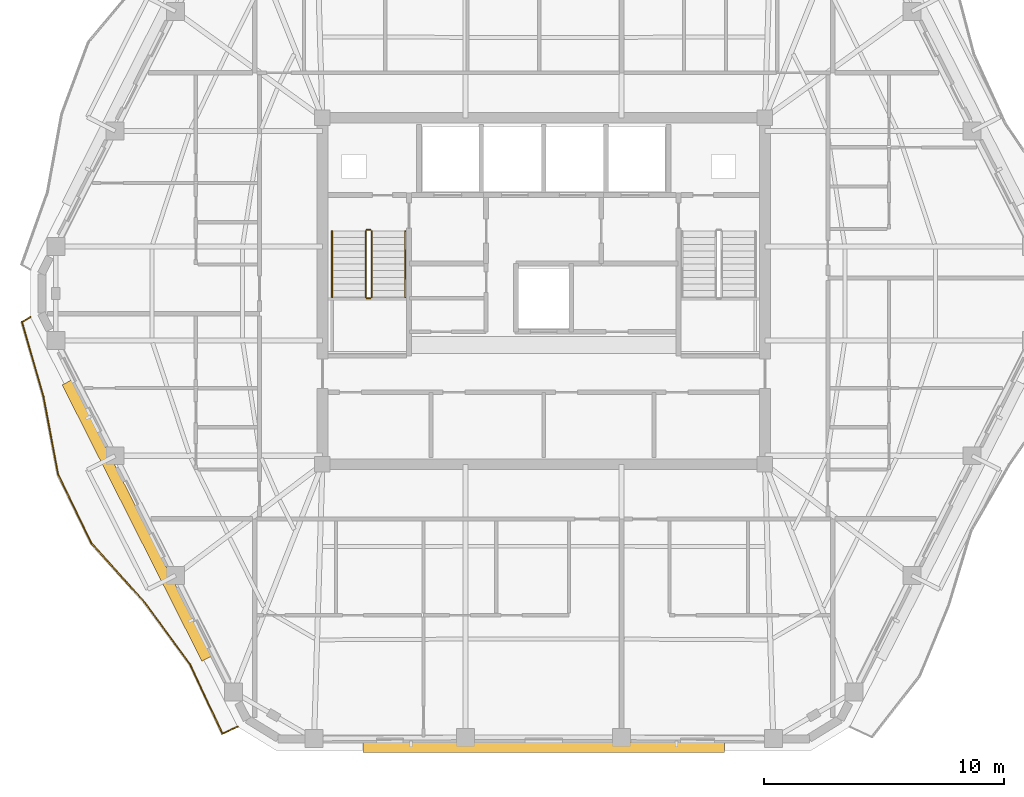
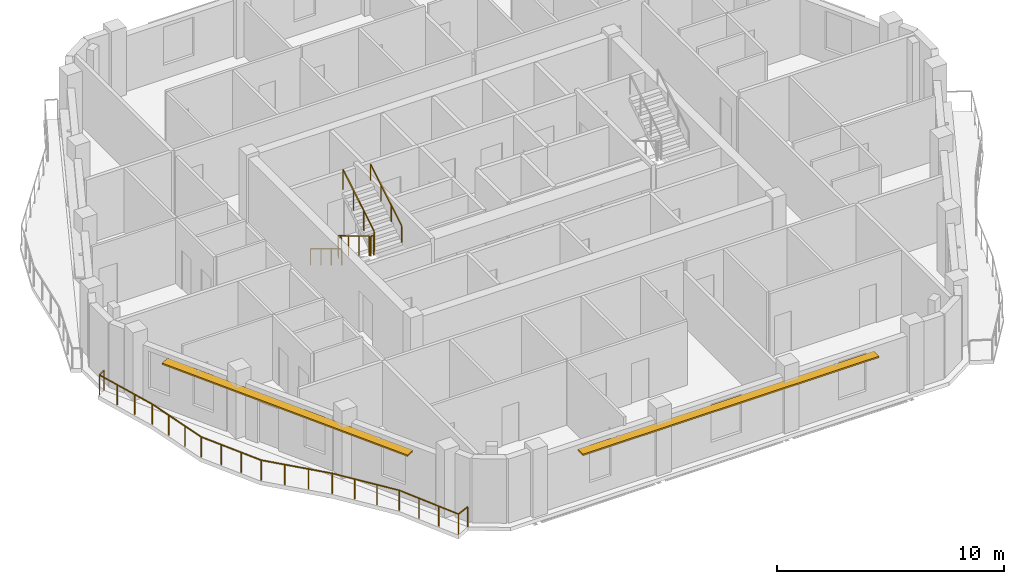
# One storey, part 9 of 11: 7 railings, 2 shading devices.
"""IFC4 building model written with IfcOpenShell, lengths in metres."""

from ifc_helpers import new_model, si_unit, direction, frame, origin, origin_2d, place, context, subcontext, project, spatial, rectangle, extrude, material, layer, layer_set, type_object, element, save


model = new_model("IFC4")

# Units and contexts
model_context = context("Model", 3, precision=1e-05, world=origin(), true_north=direction((0.0, 1.0)))
body_context = subcontext(model_context, "Body", "Model", "MODEL_VIEW")
ifc_project = project(units=[si_unit("LENGTHUNIT", "METRE"), si_unit("AREAUNIT", "SQUARE_METRE"), si_unit("VOLUMEUNIT", "CUBIC_METRE"), si_unit("PLANEANGLEUNIT", "RADIAN"), si_unit("MASSUNIT", "GRAM", prefix="KILO")], contexts=[model_context])

# Site, building, storey
site_placement = place(None, origin())
site = spatial("IfcSite", under=ifc_project, at=site_placement, CompositionType="ELEMENT")
building_placement = place(site_placement, origin())
building = spatial("IfcBuilding", under=site, at=building_placement, Name="Cinnabar Lancet Tower", CompositionType="ELEMENT")
storey_placement = place(building_placement, frame((0.0, 0.0, 256.199951171875)))
storey = spatial("IfcBuildingStorey", under=building, at=storey_placement, Name="L68", CompositionType="ELEMENT", Elevation=256.199951171875)

# Railing
ifc_material_1 = material(Name="Laminated safety glass and bronze stainless steel balustrade", Category="steel")
railing_type_1 = type_object("IfcRailingType", Name="ENV-RLG-BAL-1100", PredefinedType="BALUSTRADE", material=ifc_material_1)
railing_1_placement = place(storey_placement, frame((10.9970703125, 24.818115234375, 0.0)))
element("IfcRailing", 1, at=railing_1_placement, inside=storey, type_object=railing_type_1, Name="L68 Face 6 Wave Balcony Balustrade", PredefinedType="BALUSTRADE", context=body_context, shape_type="SweptSolid", body=[
    extrude(rectangle(XDim=0.048095703125, YDim=0.048095703125, at=origin_2d()), frame((0.0, 0.0, 1.076171875), z_axis=(-0.859079062454, -0.511842909938, 0.0), x_axis=(0.511842909938, -0.859079062454, 0.0)), (0.0, 0.0, 1.0), 0.406494140625),
    extrude(rectangle(XDim=0.048095703125, YDim=0.048095703125, at=origin_2d()), frame((-0.34912109375, -0.2080078125, 1.076171875), z_axis=(0.276313516415, -0.961067552593, 0.0), x_axis=(0.961067552593, 0.276313516415, 0.0)), (0.0, 0.0, 1.0), 3.2392578125),
    extrude(rectangle(XDim=0.048095703125, YDim=0.048095703125, at=origin_2d()), frame((0.5458984375, -3.321044921875, 1.076171875), z_axis=(0.184791409027, -0.982777764884, 0.0), x_axis=(0.982777764884, 0.184791409027, 0.0)), (0.0, 0.0, 1.0), 3.312255859375),
    extrude(rectangle(XDim=0.048095703125, YDim=0.048095703125, at=origin_2d()), frame((1.157958984375, -6.576171875, 1.076171875), z_axis=(0.436990910672, -0.899465921528, 0.0), x_axis=(0.899465921528, 0.436990910672, 0.0)), (0.0, 0.0, 1.0), 3.1806640625),
    extrude(rectangle(XDim=0.048095703125, YDim=0.048095703125, at=origin_2d()), frame((2.5478515625, -9.43701171875, 1.076171875), z_axis=(0.669443492941, -0.74286298182, 0.0), x_axis=(0.74286298182, 0.669443492941, 0.0)), (0.0, 0.0, 1.0), 3.29541015625),
    extrude(rectangle(XDim=0.048095703125, YDim=0.048095703125, at=origin_2d()), frame((4.75390625, -11.885009765625, 1.076171875), z_axis=(0.591071505016, -0.80661916414, 0.0), x_axis=(0.80661916414, 0.591071505016, 0.0)), (0.0, 0.0, 1.0), 3.224609375),
    extrude(rectangle(XDim=0.048095703125, YDim=0.048095703125, at=origin_2d()), frame((6.659912109375, -14.486083984375, 1.076171875), z_axis=(0.422415270201, -0.906402415873, 0.0), x_axis=(0.906402415873, 0.422415270201, 0.0)), (0.0, 0.0, 1.0), 3.18408203125),
    extrude(rectangle(XDim=0.048095703125, YDim=0.048095703125, at=origin_2d()), frame((8.0048828125, -17.3720703125, 1.076171875), z_axis=(0.912320191095, 0.409477556064, 0.0), x_axis=(-0.409477556064, 0.912320191095, 0.0)), (0.0, 0.0, 1.0), 0.6982421875),
    extrude(rectangle(XDim=0.0419921875, YDim=0.0419921875, at=origin_2d()), origin(), (0.0, 0.0, 1.0), 1.052001953125),
    extrude(rectangle(XDim=0.0419921875, YDim=0.0419921875, at=origin_2d()), frame((-0.34912109375, -0.2080078125, 0.0)), (0.0, 0.0, 1.0), 1.052001953125),
    extrude(rectangle(XDim=0.0419921875, YDim=0.0419921875, at=origin_2d()), frame((-0.05078125, -1.24560546875, 0.0)), (0.0, 0.0, 1.0), 1.052001953125),
    extrude(rectangle(XDim=0.0419921875, YDim=0.0419921875, at=origin_2d()), frame((0.24755859375, -2.283447265625, 0.0)), (0.0, 0.0, 1.0), 1.052001953125),
    extrude(rectangle(XDim=0.0419921875, YDim=0.0419921875, at=origin_2d()), frame((0.5458984375, -3.321044921875, 0.0)), (0.0, 0.0, 1.0), 1.052001953125),
    extrude(rectangle(XDim=0.0419921875, YDim=0.0419921875, at=origin_2d()), frame((0.75, -4.406005859375, 0.0)), (0.0, 0.0, 1.0), 1.052001953125),
    extrude(rectangle(XDim=0.0419921875, YDim=0.0419921875, at=origin_2d()), frame((0.953857421875, -5.4912109375, 0.0)), (0.0, 0.0, 1.0), 1.052001953125),
    extrude(rectangle(XDim=0.0419921875, YDim=0.0419921875, at=origin_2d()), frame((1.157958984375, -6.576171875, 0.0)), (0.0, 0.0, 1.0), 1.052001953125),
    extrude(rectangle(XDim=0.0419921875, YDim=0.0419921875, at=origin_2d()), frame((1.621337890625, -7.52978515625, 0.0)), (0.0, 0.0, 1.0), 1.052001953125),
    extrude(rectangle(XDim=0.0419921875, YDim=0.0419921875, at=origin_2d()), frame((2.08447265625, -8.4833984375, 0.0)), (0.0, 0.0, 1.0), 1.052001953125),
    extrude(rectangle(XDim=0.0419921875, YDim=0.0419921875, at=origin_2d()), frame((2.5478515625, -9.43701171875, 0.0)), (0.0, 0.0, 1.0), 1.052001953125),
    extrude(rectangle(XDim=0.0419921875, YDim=0.0419921875, at=origin_2d()), frame((3.283203125, -10.2529296875, 0.0)), (0.0, 0.0, 1.0), 1.052001953125),
    extrude(rectangle(XDim=0.0419921875, YDim=0.0419921875, at=origin_2d()), frame((4.0185546875, -11.069091796875, 0.0)), (0.0, 0.0, 1.0), 1.052001953125),
    extrude(rectangle(XDim=0.0419921875, YDim=0.0419921875, at=origin_2d()), frame((4.75390625, -11.885009765625, 0.0)), (0.0, 0.0, 1.0), 1.052001953125),
    extrude(rectangle(XDim=0.0419921875, YDim=0.0419921875, at=origin_2d()), frame((5.38916015625, -12.751953125, 0.0)), (0.0, 0.0, 1.0), 1.052001953125),
    extrude(rectangle(XDim=0.0419921875, YDim=0.0419921875, at=origin_2d()), frame((6.024658203125, -13.619140625, 0.0)), (0.0, 0.0, 1.0), 1.052001953125),
    extrude(rectangle(XDim=0.0419921875, YDim=0.0419921875, at=origin_2d()), frame((6.659912109375, -14.486083984375, 0.0)), (0.0, 0.0, 1.0), 1.052001953125),
    extrude(rectangle(XDim=0.0419921875, YDim=0.0419921875, at=origin_2d()), frame((7.108154296875, -15.447998046875, 0.0)), (0.0, 0.0, 1.0), 1.052001953125),
    extrude(rectangle(XDim=0.0419921875, YDim=0.0419921875, at=origin_2d()), frame((7.556640625, -16.41015625, 0.0)), (0.0, 0.0, 1.0), 1.052001953125),
    extrude(rectangle(XDim=0.0419921875, YDim=0.0419921875, at=origin_2d()), frame((8.0048828125, -17.3720703125, 0.0)), (0.0, 0.0, 1.0), 1.052001953125),
    extrude(rectangle(XDim=0.0419921875, YDim=0.0419921875, at=origin_2d()), frame((8.641845703125, -17.086181640625, 0.0)), (0.0, 0.0, 1.0), 1.052001953125),
])

# Shading devices
ifc_material_2 = material(Name="Pale limestone architectural aluminium sunshade", Category="masonry")
ifc_layer = layer(ifc_material_2, 0.080078125)
ifc_layer_set = layer_set([ifc_layer], Name="Pale limestone architectural aluminium sunshade")
shading_device_type = type_object("IfcShadingDeviceType", Name="ENV-SHD-LVR-450", PredefinedType="JALOUSIE", material=ifc_layer_set)
shading_device_1_placement = place(storey_placement, frame((32.39990234375, 6.8798828125, 2.639892578125), z_axis=(0.0, 0.0, 1.0), x_axis=(1.0, 0.0, 0.0)))
element("IfcShadingDevice", 2, at=shading_device_1_placement, inside=storey, type_object=shading_device_type, Name="L68 Face 1 Horizontal Sunshade Canopy", PredefinedType="JALOUSIE", context=body_context, shape_type="SweptSolid", body=[
    extrude(rectangle(XDim=15.06103515625, YDim=0.449951171875, at=origin_2d()), origin(), (0.0, 0.0, 1.0), 0.080078125),
])
shading_device_2_placement = place(storey_placement, frame((15.43603515625, 16.330078125, 2.639892578125), z_axis=(0.0, 0.0, 1.0), x_axis=(0.451375984307, -0.89233386173, 0.0)))
element("IfcShadingDevice", 3, at=shading_device_2_placement, inside=storey, type_object=shading_device_type, Name="L68 Face 6 Horizontal Sunshade Canopy", PredefinedType="JALOUSIE", context=body_context, shape_type="SweptSolid", body=[
    extrude(rectangle(XDim=12.912109375, YDim=0.449951171875, at=origin_2d()), origin(), (0.0, 0.0, 1.0), 0.080078125),
])

# Railings
ifc_material_3 = material(Name="Painted galvanized steel balustrade", Category="steel")
railing_type_2 = type_object("IfcRailingType", Name="GUARD-STAIR", PredefinedType="GUARDRAIL", material=ifc_material_3)
railing_2_placement = place(storey_placement, frame((24.97509765625, 28.39990234375, 0.166015625)))
element("IfcRailing", 4, at=railing_2_placement, inside=storey, type_object=railing_type_2, Name="L68 ST-1 stair guard 1", PredefinedType="GUARDRAIL", context=body_context, shape_type="SweptSolid", body=[
    extrude(rectangle(XDim=0.048095703125, YDim=0.048095703125, at=origin_2d()), frame((0.0, 0.0, 1.076171875), z_axis=(0.0, -0.856263023582, 0.516540060834), x_axis=(1.0, 0.0, 0.0)), (0.0, 0.0, 1.0), 3.211669921875),
    extrude(rectangle(XDim=0.0419921875, YDim=0.0419921875, at=origin_2d()), origin(), (0.0, 0.0, 1.0), 1.052001953125),
    extrude(rectangle(XDim=0.0419921875, YDim=0.0419921875, at=origin_2d()), frame((0.0, -0.916748046875, 0.552978515625)), (0.0, 0.0, 1.0), 1.052001953125),
    extrude(rectangle(XDim=0.0419921875, YDim=0.0419921875, at=origin_2d()), frame((0.0, -1.833251953125, 1.10595703125)), (0.0, 0.0, 1.0), 1.052001953125),
    extrude(rectangle(XDim=0.0419921875, YDim=0.0419921875, at=origin_2d()), frame((0.0, -2.75, 1.658935546875)), (0.0, 0.0, 1.0), 1.052001953125),
])
railing_3_placement = place(storey_placement, frame((25.02490234375, 25.60009765625, 1.824951171875)))
element("IfcRailing", 5, at=railing_3_placement, inside=storey, type_object=railing_type_2, Name="L68 ST-1 stair guard 2", PredefinedType="GUARDRAIL", context=body_context, shape_type="SweptSolid", body=[
    extrude(rectangle(XDim=0.048095703125, YDim=0.048095703125, at=origin_2d()), frame((0.0, 0.0, 1.076171875), z_axis=(1.0, 0.0, 0.0), x_axis=(0.0, 1.0, 0.0)), (0.0, 0.0, 1.0), 0.150146484375),
    extrude(rectangle(XDim=0.0419921875, YDim=0.0419921875, at=origin_2d()), origin(), (0.0, 0.0, 1.0), 1.052001953125),
    extrude(rectangle(XDim=0.0419921875, YDim=0.0419921875, at=origin_2d()), frame((0.150146484375, 0.0, 0.0)), (0.0, 0.0, 1.0), 1.052001953125),
])
railing_4_placement = place(storey_placement, frame((25.22509765625, 25.64990234375, 1.990966796875)))
element("IfcRailing", 6, at=railing_4_placement, inside=storey, type_object=railing_type_2, Name="L68 ST-1 stair guard 3", PredefinedType="GUARDRAIL", context=body_context, shape_type="SweptSolid", body=[
    extrude(rectangle(XDim=0.048095703125, YDim=0.048095703125, at=origin_2d()), frame((0.0, 0.0, 1.076171875), z_axis=(0.0, 0.856229400918, 0.51659579267), x_axis=(-1.0, 0.0, 0.0)), (0.0, 0.0, 1.0), 3.211669921875),
    extrude(rectangle(XDim=0.0419921875, YDim=0.0419921875, at=origin_2d()), origin(), (0.0, 0.0, 1.0), 1.052001953125),
    extrude(rectangle(XDim=0.0419921875, YDim=0.0419921875, at=origin_2d()), frame((0.0, 0.916748046875, 0.552978515625)), (0.0, 0.0, 1.0), 1.052001953125),
    extrude(rectangle(XDim=0.0419921875, YDim=0.0419921875, at=origin_2d()), frame((0.0, 1.833251953125, 1.106201171875)), (0.0, 0.0, 1.0), 1.052001953125),
    extrude(rectangle(XDim=0.0419921875, YDim=0.0419921875, at=origin_2d()), frame((0.0, 2.75, 1.6591796875)), (0.0, 0.0, 1.0), 1.052001953125),
])
railing_5_placement = place(storey_placement, frame((25.02490234375, 28.449951171875, 0.0)))
element("IfcRailing", 7, at=railing_5_placement, inside=storey, type_object=railing_type_2, Name="L68 ST-1 stair guard 4", PredefinedType="GUARDRAIL", context=body_context, shape_type="SweptSolid", body=[
    extrude(rectangle(XDim=0.048095703125, YDim=0.048095703125, at=origin_2d()), frame((0.0, 0.0, 1.076171875), z_axis=(1.0, 0.0, 0.0), x_axis=(0.0, 1.0, 0.0)), (0.0, 0.0, 1.0), 0.150146484375),
    extrude(rectangle(XDim=0.0419921875, YDim=0.0419921875, at=origin_2d()), origin(), (0.0, 0.0, 1.0), 1.052001953125),
    extrude(rectangle(XDim=0.0419921875, YDim=0.0419921875, at=origin_2d()), frame((0.150146484375, 0.0, 0.0)), (0.0, 0.0, 1.0), 1.052001953125),
])
ifc_material_4 = material(Name="Brushed stainless steel handrail", Category="steel")
railing_type_3 = type_object("IfcRailingType", Name="HANDRAIL-STAIR", PredefinedType="HANDRAIL", material=ifc_material_4)
railing_6_placement = place(storey_placement, frame((23.574951171875, 28.39990234375, 0.166015625)))
element("IfcRailing", 8, at=railing_6_placement, inside=storey, type_object=railing_type_3, Name="L68 ST-1 stair handrail 1", PredefinedType="HANDRAIL", context=body_context, shape_type="SweptSolid", body=[
    extrude(rectangle(XDim=0.048095703125, YDim=0.048095703125, at=origin_2d()), frame((0.0, 0.0, 0.8759765625), z_axis=(0.0, -0.856263023582, 0.516540060834), x_axis=(1.0, 0.0, 0.0)), (0.0, 0.0, 1.0), 3.211669921875),
    extrude(rectangle(XDim=0.0419921875, YDim=0.0419921875, at=origin_2d()), origin(), (0.0, 0.0, 1.0), 0.851806640625),
    extrude(rectangle(XDim=0.0419921875, YDim=0.0419921875, at=origin_2d()), frame((0.0, -0.916748046875, 0.552978515625)), (0.0, 0.0, 1.0), 0.851806640625),
    extrude(rectangle(XDim=0.0419921875, YDim=0.0419921875, at=origin_2d()), frame((0.0, -1.833251953125, 1.10595703125)), (0.0, 0.0, 1.0), 0.851806640625),
    extrude(rectangle(XDim=0.0419921875, YDim=0.0419921875, at=origin_2d()), frame((0.0, -2.75, 1.658935546875)), (0.0, 0.0, 1.0), 0.851806640625),
])
railing_7_placement = place(storey_placement, frame((26.625, 25.64990234375, 1.990966796875)))
element("IfcRailing", 9, at=railing_7_placement, inside=storey, type_object=railing_type_3, Name="L68 ST-1 stair handrail 2", PredefinedType="HANDRAIL", context=body_context, shape_type="SweptSolid", body=[
    extrude(rectangle(XDim=0.048095703125, YDim=0.048095703125, at=origin_2d()), frame((0.0, 0.0, 0.8759765625), z_axis=(0.0, 0.856229400918, 0.51659579267), x_axis=(-1.0, 0.0, 0.0)), (0.0, 0.0, 1.0), 3.211669921875),
    extrude(rectangle(XDim=0.0419921875, YDim=0.0419921875, at=origin_2d()), origin(), (0.0, 0.0, 1.0), 0.851806640625),
    extrude(rectangle(XDim=0.0419921875, YDim=0.0419921875, at=origin_2d()), frame((0.0, 0.916748046875, 0.552978515625)), (0.0, 0.0, 1.0), 0.851806640625),
    extrude(rectangle(XDim=0.0419921875, YDim=0.0419921875, at=origin_2d()), frame((0.0, 1.833251953125, 1.106201171875)), (0.0, 0.0, 1.0), 0.851806640625),
    extrude(rectangle(XDim=0.0419921875, YDim=0.0419921875, at=origin_2d()), frame((0.0, 2.75, 1.6591796875)), (0.0, 0.0, 1.0), 0.851806640625),
])

save(model, "model.ifc")
